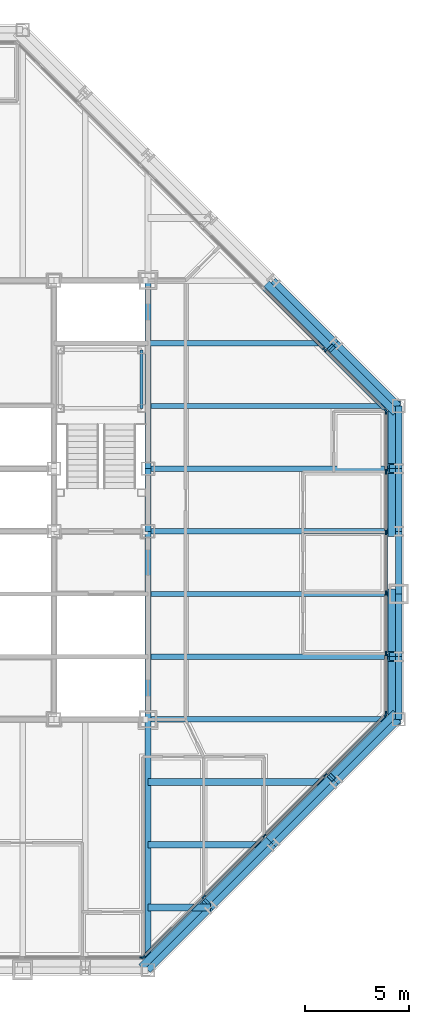
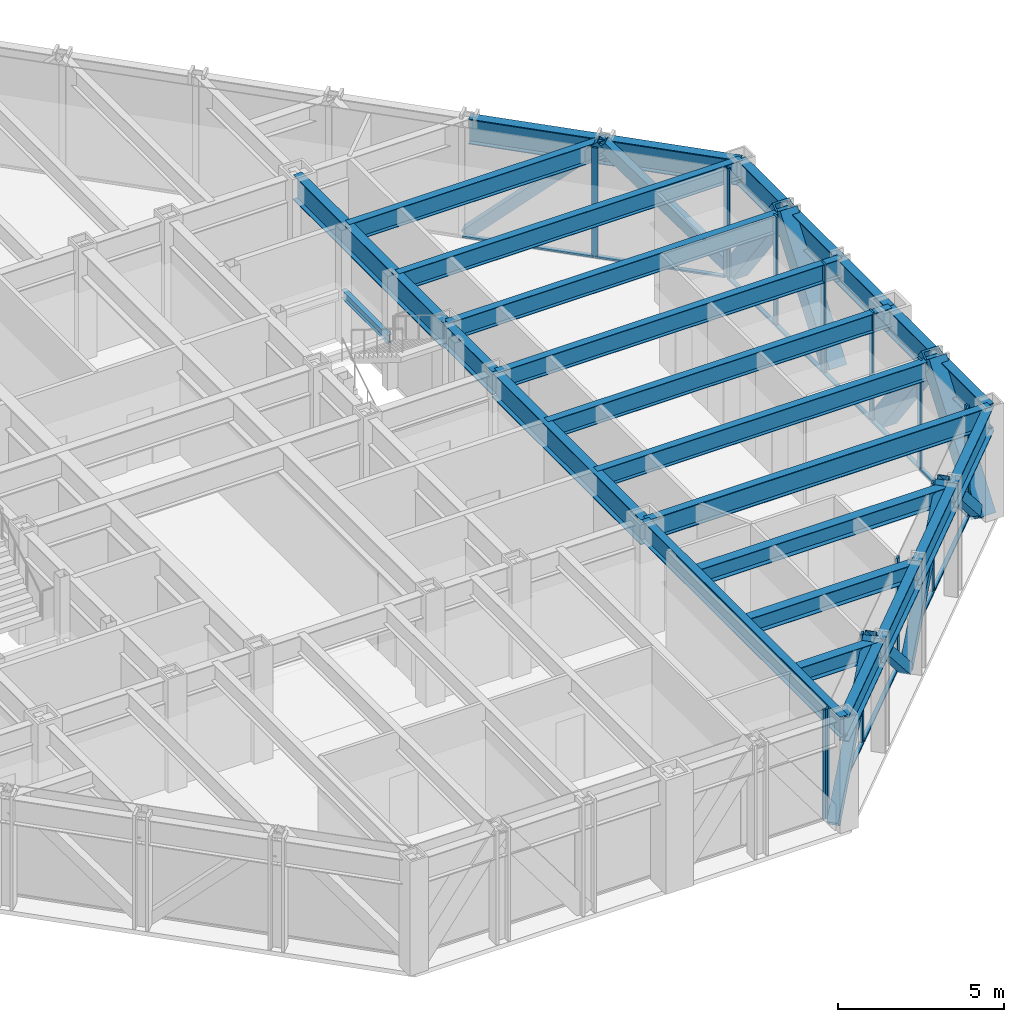
# One storey, part 7 of 16: 35 members, 26 beams, 4 elements without a shape of their own.
"""IFC4 building model written with IfcOpenShell, lengths in metres."""

from ifc_helpers import new_model, si_unit, direction, frame, origin, origin_2d, place, context, subcontext, project, spatial, rectangle, hollow_rectangle, i_section, extrude, material, layer, layer_set, material_profile, profile_set, type_object, element, aggregate, save


model = new_model("IFC4")

# Units and contexts
model_context = context("Model", 3, precision=1e-05, world=origin(), true_north=direction((0.0, 1.0)))
body_context = subcontext(model_context, "Body", "Model", "MODEL_VIEW")
ifc_project = project(units=[si_unit("LENGTHUNIT", "METRE"), si_unit("AREAUNIT", "SQUARE_METRE"), si_unit("VOLUMEUNIT", "CUBIC_METRE"), si_unit("PLANEANGLEUNIT", "RADIAN"), si_unit("MASSUNIT", "GRAM", prefix="KILO")], contexts=[model_context])

# Site, building, storey
site_placement = place(None, origin())
site = spatial("IfcSite", under=ifc_project, at=site_placement, CompositionType="ELEMENT")
building_placement = place(site_placement, origin())
building = spatial("IfcBuilding", under=site, at=building_placement, Name="Chuquiago Exchange Tower", CompositionType="ELEMENT")
storey_placement = place(building_placement, frame((0.0, 0.0, 213.89990234375)))
storey = spatial("IfcBuildingStorey", under=building, at=storey_placement, Name="L47", CompositionType="ELEMENT", Elevation=213.89990234375)

# Beams
ifc_material_1 = material(Name="Steel ASTM A992", Category="steel")
ifc_material_profile_1 = material_profile(ifc_material_1, i_section(OverallWidth=0.25390625, OverallDepth=0.683349609375, WebThickness=0.012451171875, FlangeThickness=0.018798828125, at=origin_2d()), Name="W27X94")
ifc_profile_set_1 = profile_set([ifc_material_profile_1], Name="Steel ASTM A992")
beam_type_1 = type_object("IfcBeamType", Name="B1 W27X94", PredefinedType="BEAM", material=ifc_profile_set_1)
for number, where, z_axis, x_axis, name in (
    (1, (33.0, 15.0, 3.698486328125), (1.0, 0.0, 0.0), (0.0, 1.0, 0.0), "FB-L48-infill-33_15-45_15-0"),
    (2, (33.0, 18.0, 3.698486328125), (1.0, 0.0, 0.0), (0.0, 1.0, 0.0), "FB-L48-infill-33_18-45_18-0"),
    (3, (33.0, 21.0, 3.698486328125), (1.0, 0.0, 0.0), (0.0, 1.0, 0.0), "FB-L48-infill-33_21-45_21-0"),
    (4, (33.0, 24.0, 3.698486328125), (1.0, 0.0, 0.0), (0.0, 1.0, 0.0), "FB-L48-infill-33_24-45_24-0"),
    (5, (33.0, 27.0, 3.698486328125), (1.0, 0.0, 0.0), (0.0, 1.0, 0.0), "FB-L48-infill-33_27-45_27-0"),
):
    element("IfcBeam", number, at=place(storey_placement, frame(where, z_axis=z_axis, x_axis=x_axis)), inside=storey, type_object=beam_type_1, Name=name, PredefinedType="BEAM", context=body_context, shape_type="SweptSolid", body=[
        extrude(i_section(OverallWidth=0.25390625, OverallDepth=0.683349609375, WebThickness=0.012451171875, FlangeThickness=0.018798828125, at=origin_2d()), origin(), (0.0, 0.0, 1.0), 12.0),
    ])
beam_1_placement = place(storey_placement, frame((33.0, 30.0, 3.698486328125), z_axis=(1.0, 0.0, 0.0), x_axis=(0.0, 1.0, 0.0)))
element("IfcBeam", 6, at=beam_1_placement, inside=storey, type_object=beam_type_1, Name="FB-L48-infill-33_30-42_30-0", PredefinedType="BEAM", context=body_context, shape_type="SweptSolid", body=[
    extrude(i_section(OverallWidth=0.25390625, OverallDepth=0.683349609375, WebThickness=0.012451171875, FlangeThickness=0.018798828125, at=origin_2d()), origin(), (0.0, 0.0, 1.0), 9.0),
])
ifc_material_2 = material(Name="Steel ASTM A992", Category="steel")
ifc_material_profile_2 = material_profile(ifc_material_2, i_section(OverallWidth=0.307373046875, OverallDepth=0.927001953125, WebThickness=0.01953125, FlangeThickness=0.031982421875, at=origin_2d()), Name="W36X194")
ifc_profile_set_2 = profile_set([ifc_material_profile_2], Name="Steel ASTM A992")
beam_type_2 = type_object("IfcBeamType", Name="B10 W36X194", PredefinedType="BEAM", material=ifc_profile_set_2)
for number, where, z_axis, x_axis, name in (
    (7, (33.0, 12.0, 3.576416015625), (0.0, 1.0, 0.0), (-1.0, 0.0, 0.0), "CB-L48-33_12-33_21"),
    (8, (33.0, 24.0, 3.576416015625), (0.0, 1.0, 0.0), (-1.0, 0.0, 0.0), "CB-L48-33_24-33_33"),
):
    element("IfcBeam", number, at=place(storey_placement, frame(where, z_axis=z_axis, x_axis=x_axis)), inside=storey, type_object=beam_type_2, Name=name, PredefinedType="BEAM", context=body_context, shape_type="SweptSolid", body=[
        extrude(i_section(OverallWidth=0.307373046875, OverallDepth=0.927001953125, WebThickness=0.01953125, FlangeThickness=0.031982421875, at=origin_2d()), origin(), (0.0, 0.0, 1.0), 9.0),
    ])
ifc_material_3 = material(Name="Steel ASTM A992", Category="steel")
ifc_material_profile_3 = material_profile(ifc_material_3, i_section(OverallWidth=0.3251953125, OverallDepth=0.612060546875, WebThickness=0.0126953125, FlangeThickness=0.01904296875, at=origin_2d()), Name="W24X104")
ifc_profile_set_3 = profile_set([ifc_material_profile_3], Name="Steel ASTM A992")
beam_type_3 = type_object("IfcBeamType", Name="B2 W24X104", PredefinedType="BEAM", material=ifc_profile_set_3)
beam_2_placement = place(storey_placement, frame((33.0, 3.0, 3.73388671875), z_axis=(1.0, 0.0, 0.0), x_axis=(0.0, 1.0, 0.0)))
element("IfcBeam", 9, at=beam_2_placement, inside=storey, type_object=beam_type_3, Name="FB-L48-corner-33_3-36_3-0", PredefinedType="BEAM", context=body_context, shape_type="SweptSolid", body=[
    extrude(i_section(OverallWidth=0.3251953125, OverallDepth=0.612060546875, WebThickness=0.0126953125, FlangeThickness=0.01904296875, at=origin_2d()), origin(), (0.0, 0.0, 1.0), 3.0),
])
beam_3_placement = place(storey_placement, frame((33.0, 6.0, 3.73388671875), z_axis=(1.0, 0.0, 0.0), x_axis=(0.0, 1.0, 0.0)))
element("IfcBeam", 10, at=beam_3_placement, inside=storey, type_object=beam_type_3, Name="FB-L48-corner-33_6-39_6-0", PredefinedType="BEAM", context=body_context, shape_type="SweptSolid", body=[
    extrude(i_section(OverallWidth=0.3251953125, OverallDepth=0.612060546875, WebThickness=0.0126953125, FlangeThickness=0.01904296875, at=origin_2d()), origin(), (0.0, 0.0, 1.0), 6.0),
])
beam_4_placement = place(storey_placement, frame((33.0, 9.0, 3.73388671875), z_axis=(1.0, 0.0, 0.0), x_axis=(0.0, 1.0, 0.0)))
element("IfcBeam", 11, at=beam_4_placement, inside=storey, type_object=beam_type_3, Name="FB-L48-corner-33_9-42_9-0", PredefinedType="BEAM", context=body_context, shape_type="SweptSolid", body=[
    extrude(i_section(OverallWidth=0.3251953125, OverallDepth=0.612060546875, WebThickness=0.0126953125, FlangeThickness=0.01904296875, at=origin_2d()), origin(), (0.0, 0.0, 1.0), 9.0),
])
ifc_material_4 = material(Name="Steel ASTM A992", Category="steel")
ifc_material_profile_4 = material_profile(ifc_material_4, i_section(OverallWidth=0.2919921875, OverallDepth=0.8583984375, WebThickness=0.01708984375, FlangeThickness=0.031005859375, at=origin_2d()), Name="W33X169")
ifc_profile_set_4 = profile_set([ifc_material_profile_4], Name="Steel ASTM A992")
beam_type_4 = type_object("IfcBeamType", Name="B3 W33X169", PredefinedType="BEAM", material=ifc_profile_set_4)
beam_5_placement = place(storey_placement, frame((33.0, 21.0, 3.61083984375), z_axis=(0.0, 1.0, 0.0), x_axis=(-1.0, 0.0, 0.0)))
element("IfcBeam", 12, at=beam_5_placement, inside=storey, type_object=beam_type_4, Name="CB-L48-33_21-33_24", PredefinedType="BEAM", context=body_context, shape_type="SweptSolid", body=[
    extrude(i_section(OverallWidth=0.2919921875, OverallDepth=0.8583984375, WebThickness=0.01708984375, FlangeThickness=0.031005859375, at=origin_2d()), origin(), (0.0, 0.0, 1.0), 3.0),
])

# Curtain wall, member
ifc_material_5 = material(Name="Aluminium curtain wall system", Category="aluminium")
ifc_layer_1 = layer(ifc_material_5, 0.22509765625)
ifc_layer_set_1 = layer_set([ifc_layer_1], Name="CW2 office curtain wall")
curtain_wall_type_1 = type_object("IfcCurtainWallType", Name="CW2 office curtain wall", PredefinedType="NOTDEFINED", material=ifc_layer_set_1)
curtain_wall_1_placement = place(storey_placement, origin())
curtain_wall_1 = element("IfcCurtainWall", 13, at=curtain_wall_1_placement, inside=storey, type_object=curtain_wall_type_1, Name="CW2 curtain wall L47", PredefinedType="NOTDEFINED")
ifc_material_6 = material(Name="Aluminium mullion, pale anodised", Category="aluminium")
ifc_material_profile_5 = material_profile(ifc_material_6, rectangle(XDim=0.06494140625, YDim=0.22509765625, at=origin_2d()), Name="AL 65x225")
ifc_profile_set_5 = profile_set([ifc_material_profile_5], Name="Aluminium mullion, pale anodised")
member_type_1 = type_object("IfcMemberType", Name="CW2-M mullion 65x225", PredefinedType="MULLION", material=ifc_profile_set_5)
member_1_placement = place(storey_placement, frame((32.718994140625, 0.60009765625, 0.0), z_axis=(0.0, 0.0, 1.0), x_axis=(0.0, 1.0, 0.0)))
member_1 = element("IfcMember", 14, at=member_1_placement, type_object=member_type_1, Name="CW2 mullion 6", PredefinedType="MULLION", context=body_context, shape_type="SweptSolid", body=[
    extrude(rectangle(XDim=0.06494140625, YDim=0.22509765625, at=origin_2d()), origin(), (0.0, 0.0, 1.0), 4.0400390625),
])
aggregate(curtain_wall_1, [member_1])

# Curtain wall, members
curtain_wall_2_placement = place(storey_placement, origin())
curtain_wall_2 = element("IfcCurtainWall", 15, at=curtain_wall_2_placement, inside=storey, type_object=curtain_wall_type_1, Name="CW2 curtain wall L47", PredefinedType="NOTDEFINED")
member_2_placement = place(storey_placement, frame((44.39990234375, 12.281005859375, 0.0), z_axis=(0.0, 0.0, 1.0), x_axis=(-1.0, 0.0, 0.0)))
member_2 = element("IfcMember", 16, at=member_2_placement, type_object=member_type_1, Name="CW2 mullion 1", PredefinedType="MULLION", context=body_context, shape_type="SweptSolid", body=[
    extrude(rectangle(XDim=0.06494140625, YDim=0.22509765625, at=origin_2d()), origin(), (0.0, 0.0, 1.0), 4.0400390625),
])
member_3_placement = place(storey_placement, frame((44.39990234375, 15.149169921875, 0.0), z_axis=(0.0, 0.0, 1.0), x_axis=(-1.0, 0.0, 0.0)))
member_3 = element("IfcMember", 17, at=member_3_placement, type_object=member_type_1, Name="CW2 mullion 2", PredefinedType="MULLION", context=body_context, shape_type="SweptSolid", body=[
    extrude(rectangle(XDim=0.06494140625, YDim=0.22509765625, at=origin_2d()), origin(), (0.0, 0.0, 1.0), 4.0400390625),
])
member_4_placement = place(storey_placement, frame((44.39990234375, 18.0498046875, 0.0), z_axis=(0.0, 0.0, 1.0), x_axis=(-1.0, 0.0, 0.0)))
member_4 = element("IfcMember", 18, at=member_4_placement, type_object=member_type_1, Name="CW2 mullion 3", PredefinedType="MULLION", context=body_context, shape_type="SweptSolid", body=[
    extrude(rectangle(XDim=0.06494140625, YDim=0.22509765625, at=origin_2d()), origin(), (0.0, 0.0, 1.0), 4.0400390625),
])
member_5_placement = place(storey_placement, frame((44.39990234375, 20.9501953125, 0.0), z_axis=(0.0, 0.0, 1.0), x_axis=(-1.0, 0.0, 0.0)))
member_5 = element("IfcMember", 19, at=member_5_placement, type_object=member_type_1, Name="CW2 mullion 4", PredefinedType="MULLION", context=body_context, shape_type="SweptSolid", body=[
    extrude(rectangle(XDim=0.06494140625, YDim=0.22509765625, at=origin_2d()), origin(), (0.0, 0.0, 1.0), 4.0400390625),
])
member_6_placement = place(storey_placement, frame((44.39990234375, 23.850830078125, 0.0), z_axis=(0.0, 0.0, 1.0), x_axis=(-1.0, 0.0, 0.0)))
member_6 = element("IfcMember", 20, at=member_6_placement, type_object=member_type_1, Name="CW2 mullion 5", PredefinedType="MULLION", context=body_context, shape_type="SweptSolid", body=[
    extrude(rectangle(XDim=0.06494140625, YDim=0.22509765625, at=origin_2d()), origin(), (0.0, 0.0, 1.0), 4.0400390625),
])
member_7_placement = place(storey_placement, frame((44.39990234375, 26.718994140625, 0.0), z_axis=(0.0, 0.0, 1.0), x_axis=(-1.0, 0.0, 0.0)))
member_7 = element("IfcMember", 21, at=member_7_placement, type_object=member_type_1, Name="CW2 mullion 6", PredefinedType="MULLION", context=body_context, shape_type="SweptSolid", body=[
    extrude(rectangle(XDim=0.06494140625, YDim=0.22509765625, at=origin_2d()), origin(), (0.0, 0.0, 1.0), 4.0400390625),
])
ifc_material_7 = material(Name="Aluminium transom, pale anodised", Category="aluminium")
ifc_material_profile_6 = material_profile(ifc_material_7, rectangle(XDim=0.139892578125, YDim=0.06494140625, at=origin_2d()), Name="AL 140x65")
ifc_profile_set_6 = profile_set([ifc_material_profile_6], Name="Aluminium transom, pale anodised")
member_type_2 = type_object("IfcMemberType", Name="CW2-T transom 65x140", PredefinedType="MULLION", material=ifc_profile_set_6)
member_8_placement = place(storey_placement, frame((44.39990234375, 12.3134765625, 0.03271484375), z_axis=(0.0, 1.0, 0.0), x_axis=(-1.0, 0.0, 0.0)))
member_8 = element("IfcMember", 22, at=member_8_placement, type_object=member_type_2, Name="CW2 transom 1.1", PredefinedType="MULLION", context=body_context, shape_type="SweptSolid", body=[
    extrude(rectangle(XDim=0.139892578125, YDim=0.06494140625, at=origin_2d()), origin(), (0.0, 0.0, 1.0), 2.80322265625),
])
member_9_placement = place(storey_placement, frame((44.39990234375, 15.181640625, 0.03271484375), z_axis=(0.0, 1.0, 0.0), x_axis=(-1.0, 0.0, 0.0)))
member_9 = element("IfcMember", 23, at=member_9_placement, type_object=member_type_2, Name="CW2 transom 2.1", PredefinedType="MULLION", context=body_context, shape_type="SweptSolid", body=[
    extrude(rectangle(XDim=0.139892578125, YDim=0.06494140625, at=origin_2d()), origin(), (0.0, 0.0, 1.0), 2.83544921875),
])
member_10_placement = place(storey_placement, frame((44.39990234375, 18.082275390625, 0.03271484375), z_axis=(0.0, 1.0, 0.0), x_axis=(-1.0, 0.0, 0.0)))
member_10 = element("IfcMember", 24, at=member_10_placement, type_object=member_type_2, Name="CW2 transom 3.1", PredefinedType="MULLION", context=body_context, shape_type="SweptSolid", body=[
    extrude(rectangle(XDim=0.139892578125, YDim=0.06494140625, at=origin_2d()), origin(), (0.0, 0.0, 1.0), 2.83544921875),
])
member_11_placement = place(storey_placement, frame((44.39990234375, 20.98291015625, 0.03271484375), z_axis=(0.0, 1.0, 0.0), x_axis=(-1.0, 0.0, 0.0)))
member_11 = element("IfcMember", 25, at=member_11_placement, type_object=member_type_2, Name="CW2 transom 4.1", PredefinedType="MULLION", context=body_context, shape_type="SweptSolid", body=[
    extrude(rectangle(XDim=0.139892578125, YDim=0.06494140625, at=origin_2d()), origin(), (0.0, 0.0, 1.0), 2.83544921875),
])
member_12_placement = place(storey_placement, frame((44.39990234375, 23.88330078125, 0.03271484375), z_axis=(0.0, 1.0, 0.0), x_axis=(-1.0, 0.0, 0.0)))
member_12 = element("IfcMember", 26, at=member_12_placement, type_object=member_type_2, Name="CW2 transom 5.1", PredefinedType="MULLION", context=body_context, shape_type="SweptSolid", body=[
    extrude(rectangle(XDim=0.139892578125, YDim=0.06494140625, at=origin_2d()), origin(), (0.0, 0.0, 1.0), 2.80322265625),
])
aggregate(curtain_wall_2, [member_2, member_3, member_4, member_5, member_6, member_7, member_8, member_9, member_10, member_11, member_12])

ifc_material_8 = material(Name="Aluminium curtain wall system", Category="aluminium")
ifc_layer_2 = layer(ifc_material_8, 0.199951171875)
ifc_layer_set_2 = layer_set([ifc_layer_2], Name="CW3 facet curtain wall")
curtain_wall_type_2 = type_object("IfcCurtainWallType", Name="CW3 facet curtain wall", PredefinedType="NOTDEFINED", material=ifc_layer_set_2)
curtain_wall_3_placement = place(storey_placement, origin())
curtain_wall_3 = element("IfcCurtainWall", 27, at=curtain_wall_3_placement, inside=storey, type_object=curtain_wall_type_2, Name="CW3 curtain wall L47", PredefinedType="NOTDEFINED")
ifc_material_9 = material(Name="Aluminium mullion, pale anodised", Category="aluminium")
ifc_material_profile_7 = material_profile(ifc_material_9, rectangle(XDim=0.06494140625, YDim=0.199951171875, at=origin_2d()), Name="AL 65x200")
ifc_profile_set_7 = profile_set([ifc_material_profile_7], Name="Aluminium mullion, pale anodised")
member_type_3 = type_object("IfcMemberType", Name="CW3-M mullion 65x200", PredefinedType="MULLION", material=ifc_profile_set_7)
member_13_placement = place(storey_placement, frame((32.7744140625, 0.623046875, 0.0), z_axis=(0.0, 0.0, 1.0), x_axis=(-0.707106781187, 0.707106781187, 0.0)))
member_13 = element("IfcMember", 28, at=member_13_placement, type_object=member_type_3, Name="CW3 mullion 1", PredefinedType="MULLION", context=body_context, shape_type="SweptSolid", body=[
    extrude(rectangle(XDim=0.06494140625, YDim=0.199951171875, at=origin_2d()), origin(), (0.0, 0.0, 1.0), 4.0400390625),
])
member_14_placement = place(storey_placement, frame((35.66357421875, 3.51220703125, 0.0), z_axis=(0.0, 0.0, 1.0), x_axis=(-0.707106781187, 0.707106781187, 0.0)))
member_14 = element("IfcMember", 29, at=member_14_placement, type_object=member_type_3, Name="CW3 mullion 2", PredefinedType="MULLION", context=body_context, shape_type="SweptSolid", body=[
    extrude(rectangle(XDim=0.06494140625, YDim=0.199951171875, at=origin_2d()), origin(), (0.0, 0.0, 1.0), 4.0400390625),
])
member_15_placement = place(storey_placement, frame((38.57568359375, 6.42431640625, 0.0), z_axis=(0.0, 0.0, 1.0), x_axis=(-0.707106781187, 0.707106781187, 0.0)))
member_15 = element("IfcMember", 30, at=member_15_placement, type_object=member_type_3, Name="CW3 mullion 3", PredefinedType="MULLION", context=body_context, shape_type="SweptSolid", body=[
    extrude(rectangle(XDim=0.06494140625, YDim=0.199951171875, at=origin_2d()), origin(), (0.0, 0.0, 1.0), 4.0400390625),
])
member_16_placement = place(storey_placement, frame((41.48779296875, 9.33642578125, 0.0), z_axis=(0.0, 0.0, 1.0), x_axis=(-0.707106781187, 0.707106781187, 0.0)))
member_16 = element("IfcMember", 31, at=member_16_placement, type_object=member_type_3, Name="CW3 mullion 4", PredefinedType="MULLION", context=body_context, shape_type="SweptSolid", body=[
    extrude(rectangle(XDim=0.06494140625, YDim=0.199951171875, at=origin_2d()), origin(), (0.0, 0.0, 1.0), 4.0400390625),
])
member_17_placement = place(storey_placement, frame((44.376953125, 12.2255859375, 0.0), z_axis=(0.0, 0.0, 1.0), x_axis=(-0.707106781187, 0.707106781187, 0.0)))
member_17 = element("IfcMember", 32, at=member_17_placement, type_object=member_type_3, Name="CW3 mullion 5", PredefinedType="MULLION", context=body_context, shape_type="SweptSolid", body=[
    extrude(rectangle(XDim=0.06494140625, YDim=0.199951171875, at=origin_2d()), origin(), (0.0, 0.0, 1.0), 4.0400390625),
])

curtain_wall_4_placement = place(storey_placement, origin())
curtain_wall_4 = element("IfcCurtainWall", 33, at=curtain_wall_4_placement, inside=storey, type_object=curtain_wall_type_2, Name="CW3 curtain wall L47", PredefinedType="NOTDEFINED")
member_18_placement = place(storey_placement, frame((44.376953125, 26.7744140625, 0.0), z_axis=(0.0, 0.0, 1.0), x_axis=(-0.707106781187, -0.707106781187, 0.0)))
member_18 = element("IfcMember", 34, at=member_18_placement, type_object=member_type_3, Name="CW3 mullion 1", PredefinedType="MULLION", context=body_context, shape_type="SweptSolid", body=[
    extrude(rectangle(XDim=0.06494140625, YDim=0.199951171875, at=origin_2d()), origin(), (0.0, 0.0, 1.0), 4.0400390625),
])
member_19_placement = place(storey_placement, frame((41.45849609375, 29.69287109375, 0.0), z_axis=(0.0, 0.0, 1.0), x_axis=(-0.707106781187, -0.707106781187, 0.0)))
member_19 = element("IfcMember", 35, at=member_19_placement, type_object=member_type_3, Name="CW3 mullion 2", PredefinedType="MULLION", context=body_context, shape_type="SweptSolid", body=[
    extrude(rectangle(XDim=0.06494140625, YDim=0.199951171875, at=origin_2d()), origin(), (0.0, 0.0, 1.0), 4.0400390625),
])

# Member
ifc_material_10 = material(Name="Aluminium transom, pale anodised", Category="aluminium")
ifc_material_profile_8 = material_profile(ifc_material_10, rectangle(XDim=0.139892578125, YDim=0.06494140625, at=origin_2d()), Name="AL 140x65")
ifc_profile_set_8 = profile_set([ifc_material_profile_8], Name="Aluminium transom, pale anodised")
member_type_4 = type_object("IfcMemberType", Name="CW3-T transom 65x140", PredefinedType="MULLION", material=ifc_profile_set_8)
member_20_placement = place(storey_placement, frame((32.79736328125, 0.64599609375, 0.03271484375), z_axis=(0.707106781187, 0.707106781187, 0.0), x_axis=(-0.707106781187, 0.707106781187, 0.0)))
member_20 = element("IfcMember", 36, at=member_20_placement, type_object=member_type_4, Name="CW3 transom 1.1", PredefinedType="MULLION", context=body_context, shape_type="SweptSolid", body=[
    extrude(rectangle(XDim=0.139892578125, YDim=0.06494140625, at=origin_2d()), origin(), (0.0, 0.0, 1.0), 4.02099609375),
])

member_21_placement = place(storey_placement, frame((35.6865234375, 3.53515625, 0.03271484375), z_axis=(0.707106781187, 0.707106781187, 0.0), x_axis=(-0.707106781187, 0.707106781187, 0.0)))
member_21 = element("IfcMember", 37, at=member_21_placement, type_object=member_type_4, Name="CW3 transom 2.1", PredefinedType="MULLION", context=body_context, shape_type="SweptSolid", body=[
    extrude(rectangle(XDim=0.139892578125, YDim=0.06494140625, at=origin_2d()), origin(), (0.0, 0.0, 1.0), 4.053466796875),
])

member_22_placement = place(storey_placement, frame((38.5986328125, 6.447265625, 0.03271484375), z_axis=(0.707106781187, 0.707106781187, 0.0), x_axis=(-0.707106781187, 0.707106781187, 0.0)))
member_22 = element("IfcMember", 38, at=member_22_placement, type_object=member_type_4, Name="CW3 transom 3.1", PredefinedType="MULLION", context=body_context, shape_type="SweptSolid", body=[
    extrude(rectangle(XDim=0.139892578125, YDim=0.06494140625, at=origin_2d()), origin(), (0.0, 0.0, 1.0), 4.053466796875),
])

member_23_placement = place(storey_placement, frame((41.5107421875, 9.359375, 0.03271484375), z_axis=(0.707106781187, 0.707106781187, 0.0), x_axis=(-0.707106781187, 0.707106781187, 0.0)))
member_23 = element("IfcMember", 39, at=member_23_placement, type_object=member_type_4, Name="CW3 transom 4.1", PredefinedType="MULLION", context=body_context, shape_type="SweptSolid", body=[
    extrude(rectangle(XDim=0.139892578125, YDim=0.06494140625, at=origin_2d()), origin(), (0.0, 0.0, 1.0), 4.02099609375),
])

aggregate(curtain_wall_3, [member_13, member_14, member_15, member_16, member_17, member_20, member_21, member_22, member_23])

member_24_placement = place(storey_placement, frame((44.35400390625, 26.79736328125, 0.03271484375), z_axis=(-0.707106781187, 0.707106781187, 0.0), x_axis=(-0.707106781187, -0.707106781187, 0.0)))
member_24 = element("IfcMember", 40, at=member_24_placement, type_object=member_type_4, Name="CW3 transom 1.1", PredefinedType="MULLION", context=body_context, shape_type="SweptSolid", body=[
    extrude(rectangle(XDim=0.139892578125, YDim=0.06494140625, at=origin_2d()), origin(), (0.0, 0.0, 1.0), 4.0625),
])

member_25_placement = place(storey_placement, frame((41.435546875, 29.7158203125, 0.03271484375), z_axis=(-0.707106781187, 0.707106781187, 0.0), x_axis=(-0.707106781187, -0.707106781187, 0.0)))
member_25 = element("IfcMember", 41, at=member_25_placement, type_object=member_type_4, Name="CW3 transom 2.1", PredefinedType="MULLION", context=body_context, shape_type="SweptSolid", body=[
    extrude(rectangle(XDim=0.139892578125, YDim=0.06494140625, at=origin_2d()), origin(), (0.0, 0.0, 1.0), 4.094970703125),
])

aggregate(curtain_wall_4, [member_18, member_19, member_24, member_25])

# Beams
ifc_material_11 = material(Name="Steel ASTM A992", Category="steel")
ifc_material_profile_9 = material_profile(ifc_material_11, i_section(OverallWidth=0.2666015625, OverallDepth=0.76953125, WebThickness=0.015625, FlangeThickness=0.025390625, at=origin_2d()), Name="W30X132")
ifc_profile_set_9 = profile_set([ifc_material_profile_9], Name="Steel ASTM A992")
beam_type_5 = type_object("IfcBeamType", Name="G1 W30X132", PredefinedType="BEAM", material=ifc_profile_set_9)
for number, where, z_axis, x_axis, name in (
    (42, (33.0, 12.0, 3.6552734375), (0.0, -1.0, 0.0), (1.0, 0.0, 0.0), "FB-L48-girder-33_12-33_-0-0"),
    (43, (33.0, 12.0, 3.6552734375), (1.0, 0.0, 0.0), (0.0, 1.0, 0.0), "FB-L48-girder-33_12-45_12-0"),
):
    element("IfcBeam", number, at=place(storey_placement, frame(where, z_axis=z_axis, x_axis=x_axis)), inside=storey, type_object=beam_type_5, Name=name, PredefinedType="BEAM", context=body_context, shape_type="SweptSolid", body=[
        extrude(i_section(OverallWidth=0.2666015625, OverallDepth=0.76953125, WebThickness=0.015625, FlangeThickness=0.025390625, at=origin_2d()), origin(), (0.0, 0.0, 1.0), 12.0),
    ])

# Members
ifc_material_12 = material(Name="Steel ASTM A500 Grade C", Category="steel")
ifc_material_profile_10 = material_profile(ifc_material_12, hollow_rectangle(XDim=0.355712890625, YDim=0.355712890625, WallThickness=0.0146484375, at=origin_2d()), Name="HSS14X14X5/8")
ifc_profile_set_10 = profile_set([ifc_material_profile_10], Name="Steel ASTM A500 Grade C")
member_type_5 = type_object("IfcMemberType", Name="LB2 HSS14X14X5/8", PredefinedType="BRACE", material=ifc_profile_set_10)
for number, where, z_axis, x_axis, name in (
    (44, (32.7685546875, 0.2314453125, 0.0), (0.512077265487, 0.512077265487, 0.689604051861), (-0.707106781187, 0.707106781187, 0.0), "LB-L47-33_0-36_3"),
    (45, (38.7685546875, 6.2314453125, 0.0), (-0.512077265487, -0.512077265487, 0.689604051861), (0.707106781187, -0.707106781187, 0.0), "LB-L47-36_3-39_6"),
    (46, (38.7685546875, 6.2314453125, 0.0), (0.512077265487, 0.512077265487, 0.689604051861), (-0.707106781187, 0.707106781187, 0.0), "LB-L47-39_6-42_9"),
    (47, (44.7685546875, 12.2314453125, 0.0), (-0.512077265487, -0.512077265487, 0.689604051861), (0.707106781187, -0.707106781187, 0.0), "LB-L47-42_9-45_12"),
    (48, (44.7685546875, 26.7685546875, 0.0), (-0.512077265487, 0.512077265487, 0.689604051861), (-0.707106781187, -0.707106781187, 0.0), "LB-L47-45_27-42_30"),
    (49, (38.7685546875, 32.7685546875, 0.0), (0.512077265487, -0.512077265487, 0.689604051861), (0.707106781187, 0.707106781187, 0.0), "LB-L47-42_30-39_33"),
):
    element("IfcMember", number, at=place(storey_placement, frame(where, z_axis=z_axis, x_axis=x_axis)), inside=storey, type_object=member_type_5, Name=name, PredefinedType="BRACE", context=body_context, shape_type="SweptSolid", body=[
        extrude(hollow_rectangle(XDim=0.355712890625, YDim=0.355712890625, WallThickness=0.0146484375, at=origin_2d()), origin(), (0.0, 0.0, 1.0), 5.8583984375),
    ])

# Beam
ifc_material_13 = material(Name="Steel ASTM A992", Category="steel")
ifc_material_profile_11 = material_profile(ifc_material_13, i_section(OverallWidth=0.164794921875, OverallDepth=0.309814453125, WebThickness=0.005859375, FlangeThickness=0.009765625, at=origin_2d()), Name="W12X26")
ifc_profile_set_11 = profile_set([ifc_material_profile_11], Name="Steel ASTM A992")
beam_type_6 = type_object("IfcBeamType", Name="LS1 W12X26", PredefinedType="BEAM", material=ifc_profile_set_11)
beam_6_placement = place(storey_placement, frame((32.68994140625, 26.889892578125, 1.7451171875), z_axis=(0.0, 1.0, 0.0), x_axis=(-1.0, 0.0, 0.0)))
element("IfcBeam", 50, at=beam_6_placement, inside=storey, type_object=beam_type_6, Name="Stair ST2 L47 landing 1 stringer", PredefinedType="BEAM", context=body_context, shape_type="SweptSolid", body=[
    extrude(i_section(OverallWidth=0.164794921875, OverallDepth=0.309814453125, WebThickness=0.005859375, FlangeThickness=0.009765625, at=origin_2d()), origin(), (0.0, 0.0, 1.0), 2.800048828125),
])

# Members
ifc_material_14 = material(Name="Steel ASTM A572 Grade 50", Category="steel")
ifc_material_profile_12 = material_profile(ifc_material_14, hollow_rectangle(XDim=0.60009765625, YDim=0.60009765625, WallThickness=0.06005859375, at=origin_2d()), Name="BOX600X600X60")
ifc_profile_set_12 = profile_set([ifc_material_profile_12], Name="Steel ASTM A572 Grade 50")
member_type_6 = type_object("IfcMemberType", Name="MB3 BOX600X600X60", PredefinedType="BRACE", material=ifc_profile_set_12)
for number, where, z_axis, x_axis, name in (
    (51, (44.794921875, 12.0, 0.0), (0.0, 0.596173923302, 0.802855312728), (-1.0, 0.0, 0.0), "Mega diagonal L47 E face"),
    (52, (44.794921875, 18.0, 0.0), (0.0, -0.596173923302, 0.802855312728), (1.0, 0.0, 0.0), "Mega diagonal L47 E face"),
    (53, (44.794921875, 21.0, 0.0), (0.0, 0.596173923302, 0.802855312728), (-1.0, 0.0, 0.0), "Mega diagonal L47 E face"),
    (54, (44.794921875, 27.0, 0.0), (0.0, -0.596173923302, 0.802855312728), (1.0, 0.0, 0.0), "Mega diagonal L47 E face"),
):
    element("IfcMember", number, at=place(storey_placement, frame(where, z_axis=z_axis, x_axis=x_axis)), inside=storey, type_object=member_type_6, Name=name, PredefinedType="BRACE", context=body_context, shape_type="SweptSolid", body=[
        extrude(hollow_rectangle(XDim=0.60009765625, YDim=0.60009765625, WallThickness=0.06005859375, at=origin_2d()), origin(), (0.0, 0.0, 1.0), 5.031982421875),
    ])

# Beams
ifc_material_15 = material(Name="Steel ASTM A992", Category="steel")
ifc_material_profile_13 = material_profile(ifc_material_15, i_section(OverallWidth=0.307373046875, OverallDepth=0.927001953125, WebThickness=0.01953125, FlangeThickness=0.031982421875, at=origin_2d()), Name="W36X194")
ifc_profile_set_13 = profile_set([ifc_material_profile_13], Name="Steel ASTM A992")
beam_type_7 = type_object("IfcBeamType", Name="SP3 W36X194", PredefinedType="SPANDREL", material=ifc_profile_set_13)
for number, where, z_axis, x_axis, name in (
    (55, (33.0, 0.0, 3.576416015625), (0.707106781187, 0.707106781187, 0.0), (-0.707106781187, 0.707106781187, 0.0), "SPB-L48-33_0-36_3"),
    (56, (36.0, 3.0, 3.576416015625), (0.707106781187, 0.707106781187, 0.0), (-0.707106781187, 0.707106781187, 0.0), "SPB-L48-36_3-39_6"),
    (57, (39.0, 6.0, 3.576416015625), (0.707106781187, 0.707106781187, 0.0), (-0.707106781187, 0.707106781187, 0.0), "SPB-L48-39_6-42_9"),
    (58, (42.0, 9.0, 3.576416015625), (0.707106781187, 0.707106781187, 0.0), (-0.707106781187, 0.707106781187, 0.0), "SPB-L48-42_9-45_12"),
):
    element("IfcBeam", number, at=place(storey_placement, frame(where, z_axis=z_axis, x_axis=x_axis)), inside=storey, type_object=beam_type_7, Name=name, PredefinedType="SPANDREL", context=body_context, shape_type="SweptSolid", body=[
        extrude(i_section(OverallWidth=0.307373046875, OverallDepth=0.927001953125, WebThickness=0.01953125, FlangeThickness=0.031982421875, at=origin_2d()), origin(), (0.0, 0.0, 1.0), 4.24267578125),
    ])
for number, where, z_axis, x_axis, name in (
    (59, (45.0, 12.0, 3.576416015625), (0.0, 1.0, 0.0), (-1.0, 0.0, 0.0), "SPB-L48-45_12-45_15"),
    (60, (45.0, 15.0, 3.576416015625), (0.0, 1.0, 0.0), (-1.0, 0.0, 0.0), "SPB-L48-45_15-45_18"),
    (61, (45.0, 18.0, 3.576416015625), (0.0, 1.0, 0.0), (-1.0, 0.0, 0.0), "SPB-L48-45_18-45_21"),
    (62, (45.0, 21.0, 3.576416015625), (0.0, 1.0, 0.0), (-1.0, 0.0, 0.0), "SPB-L48-45_21-45_24"),
    (63, (45.0, 24.0, 3.576416015625), (0.0, 1.0, 0.0), (-1.0, 0.0, 0.0), "SPB-L48-45_24-45_27"),
):
    element("IfcBeam", number, at=place(storey_placement, frame(where, z_axis=z_axis, x_axis=x_axis)), inside=storey, type_object=beam_type_7, Name=name, PredefinedType="SPANDREL", context=body_context, shape_type="SweptSolid", body=[
        extrude(i_section(OverallWidth=0.307373046875, OverallDepth=0.927001953125, WebThickness=0.01953125, FlangeThickness=0.031982421875, at=origin_2d()), origin(), (0.0, 0.0, 1.0), 3.0),
    ])
for number, where, z_axis, x_axis, name in (
    (64, (45.0, 27.0, 3.576416015625), (-0.707106781187, 0.707106781187, 0.0), (-0.707106781187, -0.707106781187, 0.0), "SPB-L48-45_27-42_30"),
    (65, (42.0, 30.0, 3.576416015625), (-0.707106781187, 0.707106781187, 0.0), (-0.707106781187, -0.707106781187, 0.0), "SPB-L48-42_30-39_33"),
):
    element("IfcBeam", number, at=place(storey_placement, frame(where, z_axis=z_axis, x_axis=x_axis)), inside=storey, type_object=beam_type_7, Name=name, PredefinedType="SPANDREL", context=body_context, shape_type="SweptSolid", body=[
        extrude(i_section(OverallWidth=0.307373046875, OverallDepth=0.927001953125, WebThickness=0.01953125, FlangeThickness=0.031982421875, at=origin_2d()), origin(), (0.0, 0.0, 1.0), 4.24267578125),
    ])

save(model, "model.ifc")
